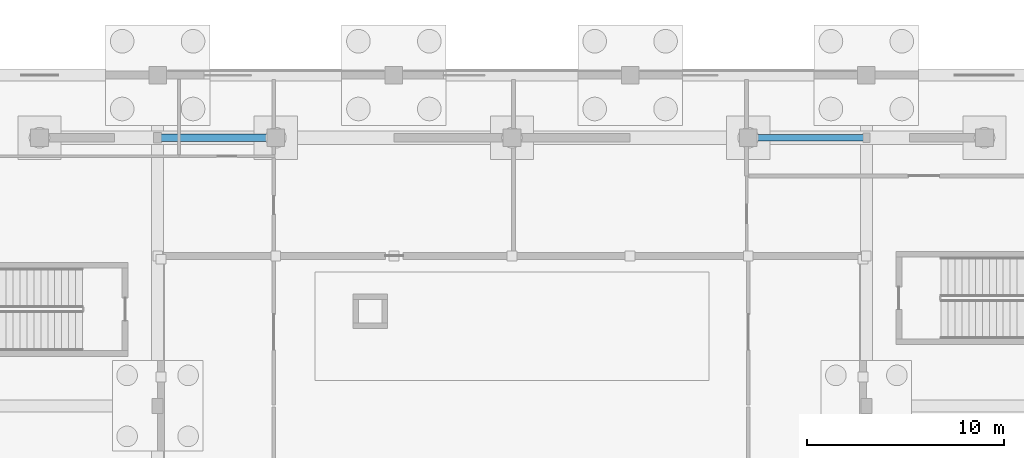
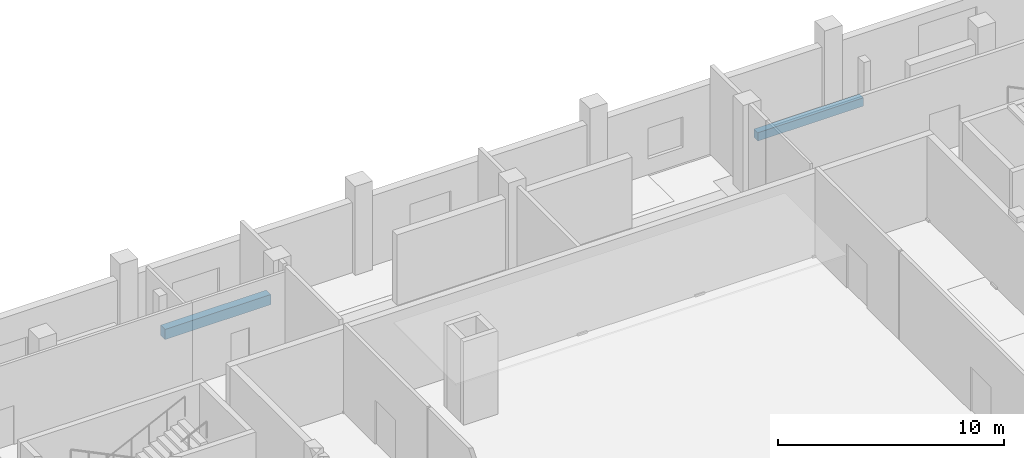
# One storey, part 35 of 82: 2 beams.
"""IFC4 building model written with IfcOpenShell, lengths in metres."""

from ifc_helpers import new_model, si_unit, direction, frame, origin, origin_2d, place, context, subcontext, project, spatial, rectangle, extrude, material, material_profile, profile_set, type_object, element, save


model = new_model("IFC4")

# Units and contexts
model_context = context("Model", 3, precision=1e-05, world=origin(), true_north=direction((0.0, 1.0)))
body_context = subcontext(model_context, "Body", "Model", "MODEL_VIEW")
ifc_project = project(units=[si_unit("LENGTHUNIT", "METRE"), si_unit("AREAUNIT", "SQUARE_METRE"), si_unit("VOLUMEUNIT", "CUBIC_METRE"), si_unit("PLANEANGLEUNIT", "RADIAN"), si_unit("MASSUNIT", "GRAM", prefix="KILO")], contexts=[model_context])

# Site, building, storey
site_placement = place(None, origin())
site = spatial("IfcSite", under=ifc_project, at=site_placement, CompositionType="ELEMENT")
building_placement = place(site_placement, origin())
building = spatial("IfcBuilding", under=site, at=building_placement, Name="Kelmvaro Bay Concert Hall", CompositionType="ELEMENT")
storey_placement = place(building_placement, origin())
storey = spatial("IfcBuildingStorey", under=building, at=storey_placement, Name="L00", CompositionType="ELEMENT", Elevation=0.0)

# Beams
ifc_material_1 = material(Name="Concrete C40/50", Category="concrete")
ifc_material_profile_1 = material_profile(ifc_material_1, rectangle(XDim=0.39990234375, YDim=0.550048828125, at=origin_2d()), Name="RC-LNT-400X550")
ifc_profile_set_1 = profile_set([ifc_material_profile_1], Name="Concrete C40/50")
beam_type_1 = type_object("IfcBeamType", Name="Acoustic Sound Lock Lintel RC400x550", PredefinedType="LINTEL", material=ifc_profile_set_1)
beam_1_placement = place(storey_placement, frame((12.14990234375, 110.820068359375, 2.574951171875), z_axis=(1.0, 0.0, 0.0), x_axis=(0.0, 1.0, 0.0)))
element("IfcBeam", 1, at=beam_1_placement, inside=storey, type_object=beam_type_1, Name="L00 Acoustic Portal Lintel N1", PredefinedType="LINTEL", context=body_context, shape_type="SweptSolid", body=[
    extrude(rectangle(XDim=0.39990234375, YDim=0.550048828125, at=origin_2d()), origin(), (0.0, 0.0, 1.0), 5.400146484375),
])
ifc_material_2 = material(Name="Concrete C40/50", Category="concrete")
ifc_material_profile_2 = material_profile(ifc_material_2, rectangle(XDim=0.35009765625, YDim=0.449951171875, at=origin_2d()), Name="RC-LNT-350X450")
ifc_profile_set_2 = profile_set([ifc_material_profile_2], Name="Concrete C40/50")
beam_type_2 = type_object("IfcBeamType", Name="Service Opening Lintel RC350x450", PredefinedType="LINTEL", material=ifc_profile_set_2)
beam_2_placement = place(storey_placement, frame((42.449951171875, 110.820068359375, 2.625), z_axis=(1.0, 0.0, 0.0), x_axis=(0.0, 1.0, 0.0)))
element("IfcBeam", 2, at=beam_2_placement, inside=storey, type_object=beam_type_2, Name="L00 Acoustic Portal Lintel N2", PredefinedType="LINTEL", context=body_context, shape_type="SweptSolid", body=[
    extrude(rectangle(XDim=0.35009765625, YDim=0.449951171875, at=origin_2d()), origin(), (0.0, 0.0, 1.0), 5.400146484375),
])

save(model, "model.ifc")
